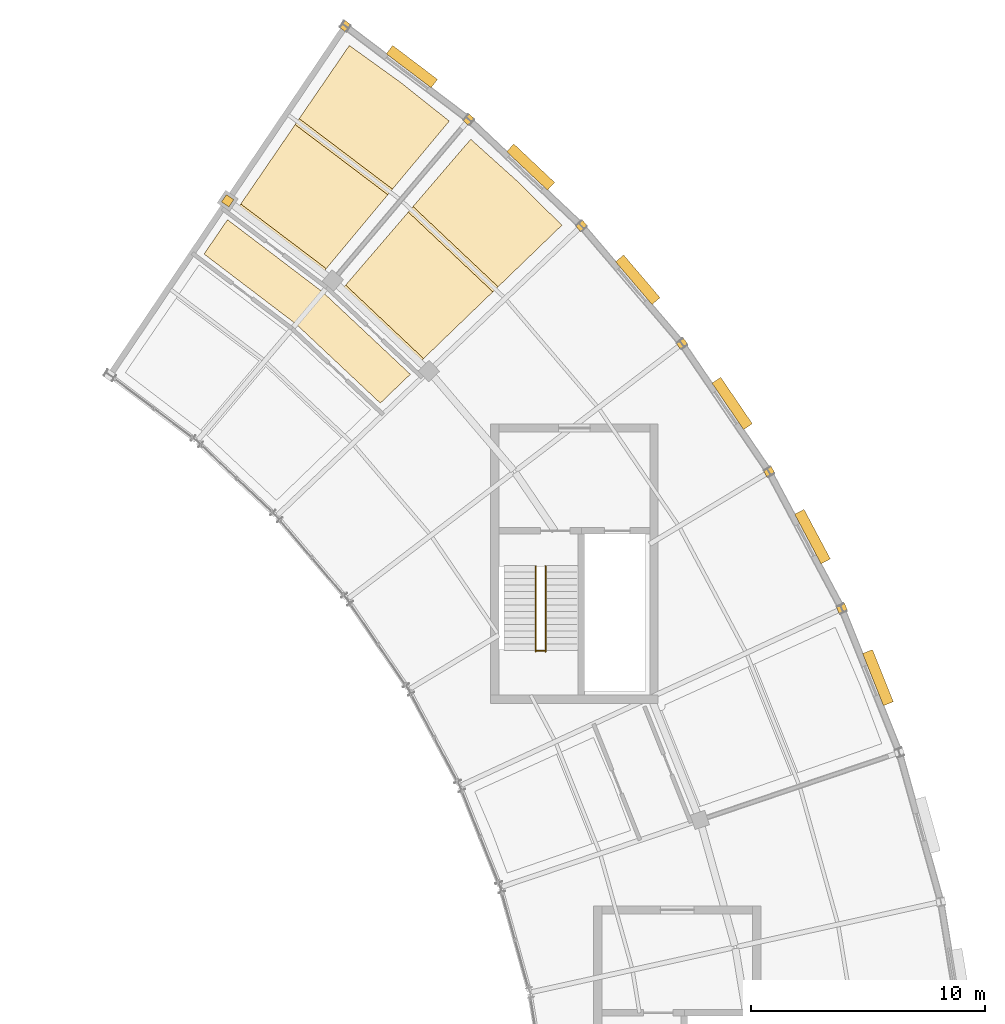
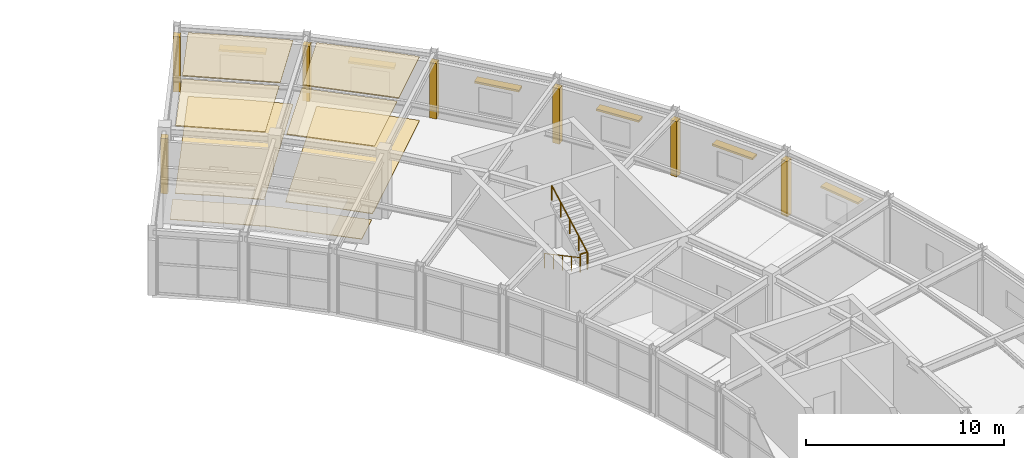
# One storey, part 29 of 29: 14 coverings, 6 shading devices, 3 railings.
"""IFC4 building model written with IfcOpenShell, lengths in metres."""

from ifc_helpers import new_model, si_unit, direction, frame, origin, origin_2d, place, context, subcontext, project, spatial, polyline, rectangle, circle, outline, extrude, material, layer, layer_set, type_object, element, save


model = new_model("IFC4")

# Units and contexts
model_context = context("Model", 3, precision=1e-05, world=origin(), true_north=direction((0.0, 1.0)))
body_context = subcontext(model_context, "Body", "Model", "MODEL_VIEW")
ifc_project = project(units=[si_unit("LENGTHUNIT", "METRE"), si_unit("AREAUNIT", "SQUARE_METRE"), si_unit("VOLUMEUNIT", "CUBIC_METRE"), si_unit("PLANEANGLEUNIT", "RADIAN"), si_unit("MASSUNIT", "GRAM", prefix="KILO")], contexts=[model_context])

# Site, building, storey
site_placement = place(None, origin())
site = spatial("IfcSite", under=ifc_project, at=site_placement, CompositionType="ELEMENT")
building_placement = place(site_placement, origin())
building = spatial("IfcBuilding", under=site, at=building_placement, Name="Tarnveldt Headland Concert Hall", CompositionType="ELEMENT")
storey_placement = place(building_placement, frame((0.0, 0.0, 18.60009765625)))
storey = spatial("IfcBuildingStorey", under=building, at=storey_placement, Name="L04", CompositionType="ELEMENT", Elevation=18.60009765625)

# Coverings
ifc_material_1 = material(Name="Micro-perforated mvule acoustic ceiling panel", Category="timber")
ifc_layer_1 = layer(ifc_material_1, 0.050048828125, Name="Micro-perforated mvule acoustic ceiling panel", Category="timber")
ifc_layer_set_1 = layer_set([ifc_layer_1], Name="Micro-perforated mvule acoustic ceiling panel")
covering_type_1 = type_object("IfcCoveringType", Name="CV-CEIL50", PredefinedType="CEILING", material=ifc_layer_set_1)
covering_1_placement = place(storey_placement, frame((0.0, 0.0, 3.929931640625)))
element("IfcCovering", 1, at=covering_1_placement, inside=storey, type_object=covering_type_1, Name="Acoustic mvule ceiling L04-17-346", PredefinedType="CEILING", context=body_context, shape_type="SweptSolid", body=[
    extrude(outline(polyline([(160.866943359375, 102.064208984375), (158.139404296875, 99.43408203125), (154.50439453125, 102.86328125), (156.971435546875, 105.739501953125), (158.962646484375, 103.94775390625), (160.866943359375, 102.064208984375)])), origin(), (0.0, 0.0, 1.0), 0.050048828125),
])
covering_2_placement = place(storey_placement, frame((0.0, 0.0, 3.929931640625)))
element("IfcCovering", 2, at=covering_2_placement, inside=storey, type_object=covering_type_1, Name="Acoustic mvule ceiling L04-17-347", PredefinedType="CEILING", context=body_context, shape_type="SweptSolid", body=[
    extrude(outline(polyline([(151.62451171875, 99.506103515625), (154.302490234375, 102.6279296875), (157.916015625, 99.21875), (154.955078125, 96.364013671875), (151.62451171875, 99.506103515625)])), origin(), (0.0, 0.0, 1.0), 0.050048828125),
])
covering_3_placement = place(storey_placement, frame((0.0, 0.0, 3.929931640625)))
element("IfcCovering", 3, at=covering_3_placement, inside=storey, type_object=covering_type_1, Name="Acoustic mvule ceiling L04-18-348", PredefinedType="CEILING", context=body_context, shape_type="SweptSolid", body=[
    extrude(outline(polyline([(156.052490234375, 106.5166015625), (153.6259765625, 103.6064453125), (149.640625, 106.62158203125), (151.781494140625, 109.748046875), (153.955078125, 108.182861328125), (156.052490234375, 106.5166015625)])), origin(), (0.0, 0.0, 1.0), 0.050048828125),
])
covering_4_placement = place(storey_placement, frame((0.0, 0.0, 3.929931640625)))
element("IfcCovering", 4, at=covering_4_placement, inside=storey, type_object=covering_type_1, Name="Acoustic mvule ceiling L04-18-349", PredefinedType="CEILING", context=body_context, shape_type="SweptSolid", body=[
    extrude(outline(polyline([(147.1416015625, 102.971923828125), (149.46533203125, 106.365478515625), (153.427001953125, 103.3681640625), (150.793212890625, 100.209228515625), (147.1416015625, 102.971923828125)])), origin(), (0.0, 0.0, 1.0), 0.050048828125),
])
ifc_material_2 = material(Name="Polished coral-aggregate cementitious terrazzo flooring", Category="concrete")
ifc_layer_2 = layer(ifc_material_2, 0.034912109375, Name="Polished coral-aggregate cementitious terrazzo flooring", Category="concrete")
ifc_layer_set_2 = layer_set([ifc_layer_2], Name="Polished coral-aggregate cementitious terrazzo flooring")
covering_type_2 = type_object("IfcCoveringType", Name="CV-FLOR35", PredefinedType="FLOORING", material=ifc_layer_set_2)
covering_5_placement = place(storey_placement, origin())
element("IfcCovering", 5, at=covering_5_placement, inside=storey, type_object=covering_type_2, Name="Architectural flooring L04-13-123", PredefinedType="FLOORING", context=body_context, shape_type="SweptSolid", body=[
    extrude(outline(polyline([(153.10595703125, 94.460693359375), (149.510498046875, 97.835205078125), (149.496337890625, 97.84716796875), (145.572021484375, 100.83251953125), (146.57470703125, 102.302490234375), (150.65283203125, 99.2001953125), (154.38916015625, 95.69384765625), (153.10595703125, 94.460693359375)])), origin(), (0.0, 0.0, 1.0), 0.034912109375),
])
covering_6_placement = place(storey_placement, origin())
element("IfcCovering", 6, at=covering_6_placement, inside=storey, type_object=covering_type_2, Name="Architectural flooring L04-17-127", PredefinedType="FLOORING", context=body_context, shape_type="SweptSolid", body=[
    extrude(outline(polyline([(154.759765625, 96.175537109375), (154.704833984375, 96.122802734375), (153.091552734375, 97.71875), (153.08544921875, 97.724609375), (151.398193359375, 99.2421875), (151.43017578125, 99.279296875), (151.504150390625, 99.279296875), (151.504150390625, 99.36572265625), (156.971435546875, 105.739501953125), (158.962646484375, 103.94775390625), (160.866943359375, 102.064208984375), (154.84326171875, 96.256103515625), (154.759765625, 96.256103515625), (154.759765625, 96.175537109375)])), origin(), (0.0, 0.0, 1.0), 0.034912109375),
])
covering_7_placement = place(storey_placement, origin())
element("IfcCovering", 7, at=covering_7_placement, inside=storey, type_object=covering_type_2, Name="Architectural flooring L04-18-128", PredefinedType="FLOORING", context=body_context, shape_type="SweptSolid", body=[
    extrude(outline(polyline([(150.654296875, 100.04248046875), (150.570556640625, 99.9423828125), (148.793701171875, 101.35400390625), (148.787109375, 101.359130859375), (146.94580078125, 102.68505859375), (147.0029296875, 102.68505859375), (147.0029296875, 102.76953125), (151.781494140625, 109.748046875), (153.955078125, 108.182861328125), (156.052490234375, 106.5166015625), (150.7265625, 100.12939453125), (150.654296875, 100.12939453125), (150.654296875, 100.04248046875)])), origin(), (0.0, 0.0, 1.0), 0.034912109375),
])
ifc_material_3 = material(Name="Coral-toned precast concrete C40/50", Category="concrete")
ifc_layer_3 = layer(ifc_material_3, 0.360107421875, Name="Coral-toned precast concrete C40/50", Category="concrete")
ifc_layer_set_3 = layer_set([ifc_layer_3], Name="Coral-toned precast concrete C40/50")
covering_type_3 = type_object("IfcCoveringType", Name="CV-JNT360", PredefinedType="CLADDING", material=ifc_layer_set_3)
for number, where, z_axis, x_axis, name in (
    (8, (146.577880859375, 103.110107421875, 0.0), (0.0, 0.0, 1.0), (0.559192903471, 0.829037572555, 0.0), "Precast facade joint closure pilaster L04-334"),
    (9, (151.61083984375, 110.5712890625, 0.0), (0.0, 0.0, 1.0), (0.797478637023, -0.603347183213, 0.0), "Precast facade joint closure pilaster L04-335"),
    (10, (156.89111328125, 106.576416015625, 0.0), (0.0, 0.0, 1.0), (0.727413564262, -0.686199319824, 0.0), "Precast facade joint closure pilaster L04-336"),
    (11, (161.70703125, 102.032470703125, 0.0), (0.0, 0.0, 1.0), (0.648651397111, -0.761085648942, 0.0), "Precast facade joint closure pilaster L04-338"),
    (12, (166.00244140625, 96.993408203125, 0.0), (0.0, 0.0, 1.0), (0.562372049186, -0.826884319778, 0.0), "Precast facade joint closure pilaster L04-339"),
    (13, (169.726318359375, 91.518798828125, 0.0), (0.0, 0.0, 1.0), (0.469471562786, -0.882947592859, 0.0), "Precast facade joint closure pilaster L04-341"),
    (14, (172.834716796875, 85.672607421875, 0.0), (0.0, 0.0, 1.0), (0.371043710237, -0.928615402141, 0.0), "Precast facade joint closure pilaster L04-342"),
):
    element("IfcCovering", number, at=place(storey_placement, frame(where, z_axis=z_axis, x_axis=x_axis)), inside=storey, type_object=covering_type_3, Name=name, PredefinedType="CLADDING", context=body_context, shape_type="SweptSolid", body=[
        extrude(rectangle(XDim=0.3798828125, YDim=0.3798828125, at=origin_2d()), origin(), (0.0, 0.0, 1.0), 3.41796875),
    ])

# Railings
ifc_material_4 = material(Name="Marine stainless steel", Category="steel")
ifc_layer_4 = layer(ifc_material_4, 0.06005859375, Name="Marine stainless steel", Category="steel")
ifc_layer_set_4 = layer_set([ifc_layer_4], Name="Marine stainless steel")
railing_type_1 = type_object("IfcRailingType", Name="RL-GRD110", PredefinedType="GUARDRAIL", material=ifc_layer_set_4)
railing_1_placement = place(storey_placement, frame((159.75, 83.8798828125, 2.099853515625)))
element("IfcRailing", 15, at=railing_1_placement, inside=storey, type_object=railing_type_1, Name="GUARD STR-C3-L04 half-landing well", PredefinedType="GUARDRAIL", context=body_context, shape_type="SweptSolid", body=[
    extrude(circle(Radius=0.02392578125, at=origin_2d()), frame((0.0, 0.0, 1.076171875), z_axis=(1.0, 0.0, 0.0), x_axis=(0.0, 1.0, 0.0)), (0.0, 0.0, 1.0), 0.419921875),
    extrude(circle(Radius=0.02099609375, at=origin_2d()), origin(), (0.0, 0.0, 1.0), 1.052001953125),
    extrude(circle(Radius=0.02099609375, at=origin_2d()), frame((0.419921875, 0.0, 0.0)), (0.0, 0.0, 1.0), 1.052001953125),
])
ifc_layer_5 = layer(ifc_material_4, 0.048095703125, Name="Marine stainless steel", Category="steel")
ifc_layer_set_5 = layer_set([ifc_layer_5], Name="Marine stainless steel")
railing_type_2 = type_object("IfcRailingType", Name="RL-HND092", PredefinedType="HANDRAIL", material=ifc_layer_set_5)
railing_2_placement = place(storey_placement, frame((159.75, 87.47998046875, 0.14990234375)))
element("IfcRailing", 16, at=railing_2_placement, inside=storey, type_object=railing_type_2, Name="HANDRAIL STR-C3-L04 flight 1", PredefinedType="HANDRAIL", context=body_context, shape_type="SweptSolid", body=[
    extrude(circle(Radius=0.02392578125, at=origin_2d()), frame((0.0, 0.0, 0.89599609375), z_axis=(0.0, -0.881479091078, 0.472223053219), x_axis=(1.0, 0.0, 0.0)), (0.0, 0.0, 1.0), 4.12939453125),
    extrude(circle(Radius=0.02099609375, at=origin_2d()), origin(), (0.0, 0.0, 1.0), 0.871826171875),
    extrude(circle(Radius=0.02099609375, at=origin_2d()), frame((0.0, -0.909912109375, 0.487548828125)), (0.0, 0.0, 1.0), 0.871826171875),
    extrude(circle(Radius=0.02099609375, at=origin_2d()), frame((0.0, -1.81982421875, 0.97509765625)), (0.0, 0.0, 1.0), 0.871826171875),
    extrude(circle(Radius=0.02099609375, at=origin_2d()), frame((0.0, -2.72998046875, 1.46240234375)), (0.0, 0.0, 1.0), 0.871826171875),
    extrude(circle(Radius=0.02099609375, at=origin_2d()), frame((0.0, -3.639892578125, 1.949951171875)), (0.0, 0.0, 1.0), 0.871826171875),
])
railing_3_placement = place(storey_placement, frame((160.169921875, 83.840087890625, 2.25)))
element("IfcRailing", 17, at=railing_3_placement, inside=storey, type_object=railing_type_2, Name="HANDRAIL STR-C3-L04 flight 2", PredefinedType="HANDRAIL", context=body_context, shape_type="SweptSolid", body=[
    extrude(circle(Radius=0.02392578125, at=origin_2d()), frame((0.0, 0.0, 0.89599609375), z_axis=(0.0, 0.881479091078, 0.472223053219), x_axis=(-1.0, 0.0, 0.0)), (0.0, 0.0, 1.0), 4.12939453125),
    extrude(circle(Radius=0.02099609375, at=origin_2d()), origin(), (0.0, 0.0, 1.0), 0.871826171875),
    extrude(circle(Radius=0.02099609375, at=origin_2d()), frame((0.0, 0.909912109375, 0.487548828125)), (0.0, 0.0, 1.0), 0.871826171875),
    extrude(circle(Radius=0.02099609375, at=origin_2d()), frame((0.0, 1.81982421875, 0.97509765625)), (0.0, 0.0, 1.0), 0.871826171875),
    extrude(circle(Radius=0.02099609375, at=origin_2d()), frame((0.0, 2.72998046875, 1.46240234375)), (0.0, 0.0, 1.0), 0.871826171875),
    extrude(circle(Radius=0.02099609375, at=origin_2d()), frame((0.0, 3.639892578125, 1.949951171875)), (0.0, 0.0, 1.0), 0.871826171875),
])

# Shading devices
ifc_material_5 = material(Name="Terracotta-anodised aluminium EN AW-6063-T6", Category="masonry")
shading_device_type = type_object("IfcShadingDeviceType", Name="SD-LVR450", PredefinedType="USERDEFINED", material=ifc_material_5)
for number, where, z_axis, x_axis, name in (
    (18, (174.378662109375, 82.724365234375, 2.4697265625), (0.0, 0.0, 1.0), (0.928615402141, 0.371043710237, 0.0), "Crescent coastal solar louvre L04-13"),
    (19, (171.580810546875, 88.755126953125, 2.4697265625), (0.0, 0.0, 1.0), (0.882947592859, 0.469471562786, 0.0), "Crescent coastal solar louvre L04-14"),
    (20, (168.1455078125, 94.447265625, 2.4697265625), (0.0, 0.0, 1.0), (0.826884319778, 0.562372049186, 0.0), "Crescent coastal solar louvre L04-15"),
    (21, (164.113525390625, 99.733642578125, 2.4697265625), (0.0, 0.0, 1.0), (0.761085648942, 0.648651397111, 0.0), "Crescent coastal solar louvre L04-16"),
    (22, (159.532470703125, 104.5517578125, 2.4697265625), (0.0, 0.0, 1.0), (0.686199319824, 0.727413564262, 0.0), "Crescent coastal solar louvre L04-17"),
    (23, (154.4560546875, 108.844970703125, 2.4697265625), (0.0, 0.0, 1.0), (0.603347183213, 0.797478637023, 0.0), "Crescent coastal solar louvre L04-18"),
):
    element("IfcShadingDevice", number, at=place(storey_placement, frame(where, z_axis=z_axis, x_axis=x_axis)), inside=storey, type_object=shading_device_type, Name=name, ObjectType="LOUVRE", PredefinedType="USERDEFINED", context=body_context, shape_type="SweptSolid", body=[
        extrude(rectangle(XDim=0.449951171875, YDim=2.39990234375, at=origin_2d()), origin(), (0.0, 0.0, 1.0), 0.1201171875),
    ])

save(model, "model.ifc")
